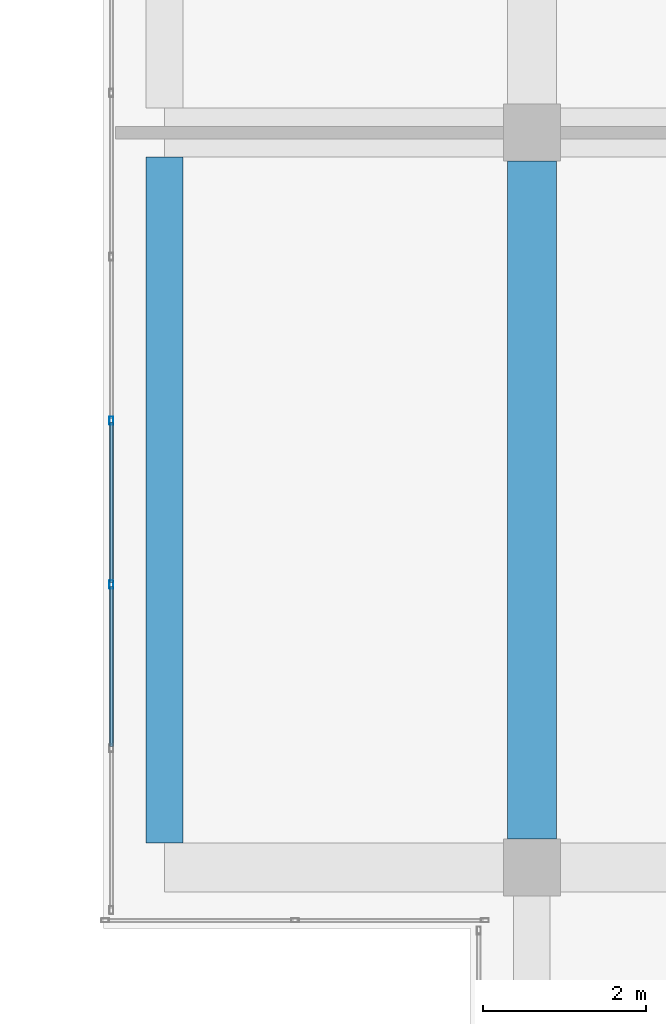
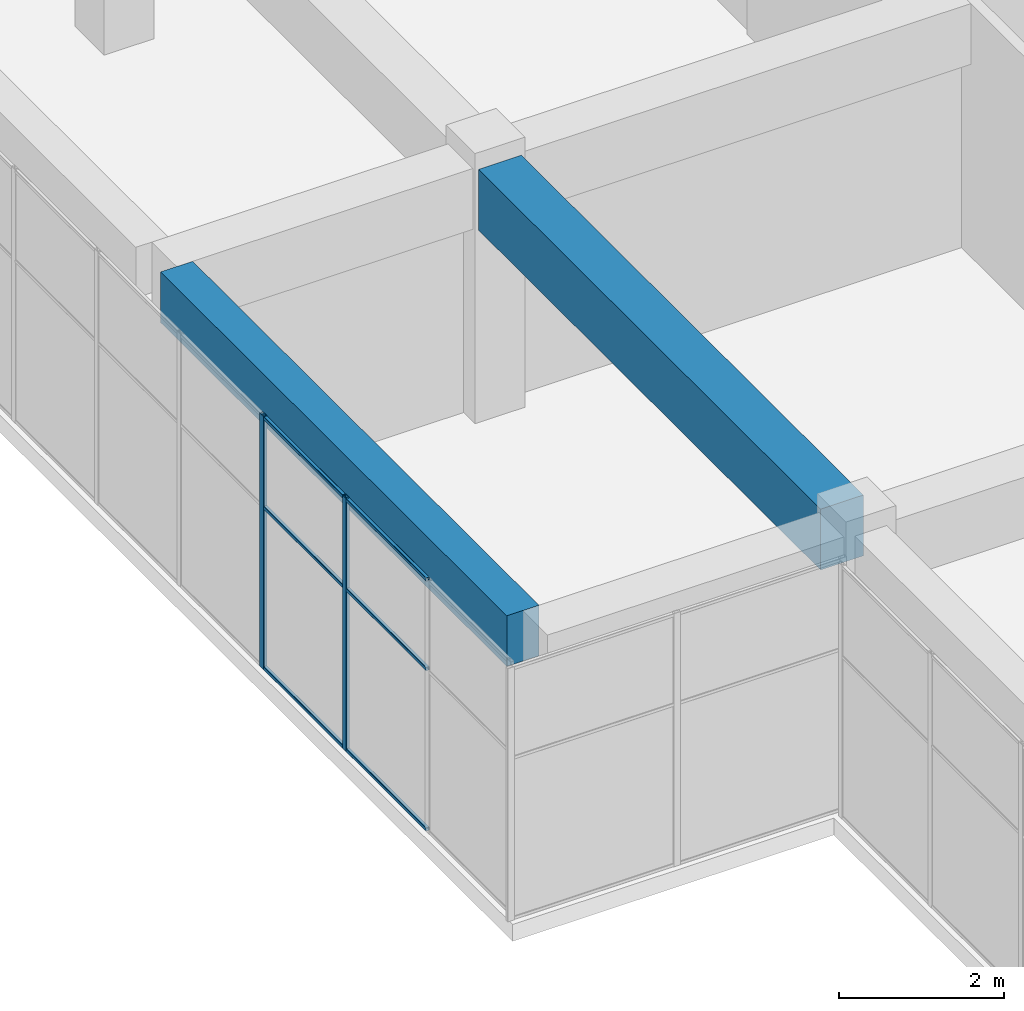
# One storey, part 10 of 43: 8 members, 2 beams, 1 element without a shape of its own.
"""IFC4 building model written with IfcOpenShell, lengths in metres."""

from ifc_helpers import new_model, si_unit, direction, frame, origin, origin_2d, place, context, subcontext, project, spatial, rectangle, hollow_rectangle, extrude, material, layer, layer_set, material_profile, profile_set, type_object, element, aggregate, save


model = new_model("IFC4")

# Units and contexts
model_context = context("Model", 3, precision=1e-05, world=origin(), true_north=direction((0.0, 1.0)))
body_context = subcontext(model_context, "Body", "Model", "MODEL_VIEW")
ifc_project = project(units=[si_unit("LENGTHUNIT", "METRE"), si_unit("AREAUNIT", "SQUARE_METRE"), si_unit("VOLUMEUNIT", "CUBIC_METRE"), si_unit("PLANEANGLEUNIT", "RADIAN"), si_unit("MASSUNIT", "GRAM", prefix="KILO")], contexts=[model_context])

# Site, building, storey
site_placement = place(None, origin())
site = spatial("IfcSite", under=ifc_project, at=site_placement, CompositionType="ELEMENT")
building_placement = place(site_placement, origin())
building = spatial("IfcBuilding", under=site, at=building_placement, Name="Tuart Plaza Theatre", CompositionType="ELEMENT")
storey_placement = place(building_placement, frame((0.0, 0.0, 33.5)))
storey = spatial("IfcBuildingStorey", under=building, at=storey_placement, Name="L08", CompositionType="ELEMENT", Elevation=33.5)

# Beams
ifc_material_1 = material(Name="Concrete N40 (40 MPa)", Category="concrete")
ifc_material_profile_1 = material_profile(ifc_material_1, rectangle(XDim=0.449951171875, YDim=0.75, at=origin_2d()), Name="BEAM 450x750 Concrete N40 (40 MPa)")
ifc_profile_set_1 = profile_set([ifc_material_profile_1], Name="Concrete N40 (40 MPa)")
beam_type_1 = type_object("IfcBeamType", Name="BEAM 450x750 Concrete N40 (40 MPa)", PredefinedType="BEAM", material=ifc_profile_set_1)
beam_1_placement = place(storey_placement, frame((109.5, 65.300048828125, 3.375), z_axis=(0.0, 1.0, 0.0), x_axis=(-1.0, 0.0, 0.0)))
element("IfcBeam", 1, at=beam_1_placement, inside=storey, type_object=beam_type_1, Name="RB248", PredefinedType="BEAM", context=body_context, shape_type="SweptSolid", body=[
    extrude(rectangle(XDim=0.449951171875, YDim=0.75, at=origin_2d()), origin(), (0.0, 0.0, 1.0), 8.39990234375),
])
ifc_material_2 = material(Name="Concrete N40 (40 MPa)", Category="concrete")
ifc_material_profile_2 = material_profile(ifc_material_2, rectangle(XDim=0.60009765625, YDim=0.89990234375, at=origin_2d()), Name="BEAM 600x900 Concrete N40 (40 MPa)")
ifc_profile_set_2 = profile_set([ifc_material_profile_2], Name="Concrete N40 (40 MPa)")
beam_type_2 = type_object("IfcBeamType", Name="BEAM 600x900 Concrete N40 (40 MPa)", PredefinedType="BEAM", material=ifc_profile_set_2)
beam_2_placement = place(storey_placement, frame((114.0, 65.35009765625, 3.300048828125), z_axis=(0.0, 1.0, 0.0), x_axis=(-1.0, 0.0, 0.0)))
element("IfcBeam", 2, at=beam_2_placement, inside=storey, type_object=beam_type_2, Name="RB257", PredefinedType="BEAM", context=body_context, shape_type="SweptSolid", body=[
    extrude(rectangle(XDim=0.60009765625, YDim=0.89990234375, at=origin_2d()), origin(), (0.0, 0.0, 1.0), 8.2998046875),
])

# Curtain wall, members
ifc_material_3 = material(Name="Aluminium and glass", Category="aluminium")
ifc_layer = layer(ifc_material_3, 0.10009765625)
ifc_layer_set = layer_set([ifc_layer], Name="CURTAIN WALL 2000 module")
curtain_wall_type = type_object("IfcCurtainWallType", Name="CURTAIN WALL 2000 module", PredefinedType="NOTDEFINED", material=ifc_layer_set)
curtain_wall_placement = place(storey_placement, origin())
curtain_wall = element("IfcCurtainWall", 3, at=curtain_wall_placement, inside=storey, type_object=curtain_wall_type, Name="CW97", PredefinedType="NOTDEFINED")
ifc_material_4 = material(Name="Aluminium 6063-T5", Category="aluminium")
ifc_material_profile_3 = material_profile(ifc_material_4, hollow_rectangle(XDim=0.050048828125, YDim=0.10009765625, WallThickness=0.00390625, InnerFilletRadius=0.00390625, OuterFilletRadius=0.008056640625, at=origin_2d()), Name="RHS 100x50x4")
ifc_profile_set_3 = profile_set([ifc_material_profile_3], Name="Aluminium 6063-T5")
member_type_1 = type_object("IfcMemberType", Name="MULLION RHS 100x50x4", PredefinedType="MULLION", material=ifc_profile_set_3)
member_1_placement = place(storey_placement, frame((108.85009765625, 70.471435546875, 0.0), z_axis=(0.0, 0.0, 1.0), x_axis=(1.0, 0.0, 0.0)))
member_1 = element("IfcMember", 4, at=member_1_placement, type_object=member_type_1, Name="CW97 mullion 12", PredefinedType="MULLION", context=body_context, shape_type="SweptSolid", body=[
    extrude(hollow_rectangle(XDim=0.050048828125, YDim=0.10009765625, WallThickness=0.00390625, InnerFilletRadius=0.00390625, OuterFilletRadius=0.008056640625, at=origin_2d()), origin(), (0.0, 0.0, 1.0), 3.75),
])
member_2_placement = place(storey_placement, frame((108.85009765625, 68.46435546875, 0.0), z_axis=(0.0, 0.0, 1.0), x_axis=(1.0, 0.0, 0.0)))
member_2 = element("IfcMember", 5, at=member_2_placement, type_object=member_type_1, Name="CW97 mullion 13", PredefinedType="MULLION", context=body_context, shape_type="SweptSolid", body=[
    extrude(hollow_rectangle(XDim=0.050048828125, YDim=0.10009765625, WallThickness=0.00390625, InnerFilletRadius=0.00390625, OuterFilletRadius=0.008056640625, at=origin_2d()), origin(), (0.0, 0.0, 1.0), 3.75),
])
ifc_material_5 = material(Name="Aluminium 6063-T5", Category="aluminium")
ifc_material_profile_4 = material_profile(ifc_material_5, hollow_rectangle(XDim=0.050048828125, YDim=0.050048828125, WallThickness=0.00390625, InnerFilletRadius=0.00390625, OuterFilletRadius=0.008056640625, at=origin_2d()), Name="RHS 50x50x4")
ifc_profile_set_4 = profile_set([ifc_material_profile_4], Name="Aluminium 6063-T5")
member_type_2 = type_object("IfcMemberType", Name="TRANSOM RHS 50x50x4", PredefinedType="USERDEFINED", material=ifc_profile_set_4)
member_3_placement = place(storey_placement, frame((108.85009765625, 70.446533203125, 0.02490234375), z_axis=(0.0, -1.0, 0.0), x_axis=(1.0, 0.0, 0.0)))
member_3 = element("IfcMember", 6, at=member_3_placement, type_object=member_type_2, Name="CW97 transom 12.1", ObjectType="TRANSOM", PredefinedType="USERDEFINED", context=body_context, shape_type="SweptSolid", body=[
    extrude(hollow_rectangle(XDim=0.050048828125, YDim=0.050048828125, WallThickness=0.00390625, InnerFilletRadius=0.00390625, OuterFilletRadius=0.008056640625, at=origin_2d()), origin(), (0.0, 0.0, 1.0), 1.957275390625),
])
member_4_placement = place(storey_placement, frame((108.85009765625, 70.446533203125, 2.39990234375), z_axis=(0.0, -1.0, 0.0), x_axis=(1.0, 0.0, 0.0)))
member_4 = element("IfcMember", 7, at=member_4_placement, type_object=member_type_2, Name="CW97 transom 12.2", ObjectType="TRANSOM", PredefinedType="USERDEFINED", context=body_context, shape_type="SweptSolid", body=[
    extrude(hollow_rectangle(XDim=0.050048828125, YDim=0.050048828125, WallThickness=0.00390625, InnerFilletRadius=0.00390625, OuterFilletRadius=0.008056640625, at=origin_2d()), origin(), (0.0, 0.0, 1.0), 1.957275390625),
])
member_5_placement = place(storey_placement, frame((108.85009765625, 70.446533203125, 3.72509765625), z_axis=(0.0, -1.0, 0.0), x_axis=(1.0, 0.0, 0.0)))
member_5 = element("IfcMember", 8, at=member_5_placement, type_object=member_type_2, Name="CW97 transom 12.3", ObjectType="TRANSOM", PredefinedType="USERDEFINED", context=body_context, shape_type="SweptSolid", body=[
    extrude(hollow_rectangle(XDim=0.050048828125, YDim=0.050048828125, WallThickness=0.00390625, InnerFilletRadius=0.00390625, OuterFilletRadius=0.008056640625, at=origin_2d()), origin(), (0.0, 0.0, 1.0), 1.957275390625),
])
member_6_placement = place(storey_placement, frame((108.85009765625, 68.439208984375, 0.02490234375), z_axis=(0.0, -1.0, 0.0), x_axis=(1.0, 0.0, 0.0)))
member_6 = element("IfcMember", 9, at=member_6_placement, type_object=member_type_2, Name="CW97 transom 13.1", ObjectType="TRANSOM", PredefinedType="USERDEFINED", context=body_context, shape_type="SweptSolid", body=[
    extrude(hollow_rectangle(XDim=0.050048828125, YDim=0.050048828125, WallThickness=0.00390625, InnerFilletRadius=0.00390625, OuterFilletRadius=0.008056640625, at=origin_2d()), origin(), (0.0, 0.0, 1.0), 1.95703125),
])
member_7_placement = place(storey_placement, frame((108.85009765625, 68.439208984375, 2.39990234375), z_axis=(0.0, -1.0, 0.0), x_axis=(1.0, 0.0, 0.0)))
member_7 = element("IfcMember", 10, at=member_7_placement, type_object=member_type_2, Name="CW97 transom 13.2", ObjectType="TRANSOM", PredefinedType="USERDEFINED", context=body_context, shape_type="SweptSolid", body=[
    extrude(hollow_rectangle(XDim=0.050048828125, YDim=0.050048828125, WallThickness=0.00390625, InnerFilletRadius=0.00390625, OuterFilletRadius=0.008056640625, at=origin_2d()), origin(), (0.0, 0.0, 1.0), 1.95703125),
])
member_8_placement = place(storey_placement, frame((108.85009765625, 68.439208984375, 3.72509765625), z_axis=(0.0, -1.0, 0.0), x_axis=(1.0, 0.0, 0.0)))
member_8 = element("IfcMember", 11, at=member_8_placement, type_object=member_type_2, Name="CW97 transom 13.3", ObjectType="TRANSOM", PredefinedType="USERDEFINED", context=body_context, shape_type="SweptSolid", body=[
    extrude(hollow_rectangle(XDim=0.050048828125, YDim=0.050048828125, WallThickness=0.00390625, InnerFilletRadius=0.00390625, OuterFilletRadius=0.008056640625, at=origin_2d()), origin(), (0.0, 0.0, 1.0), 1.95703125),
])
aggregate(curtain_wall, [member_1, member_2, member_3, member_4, member_5, member_6, member_7, member_8])

save(model, "model.ifc")
